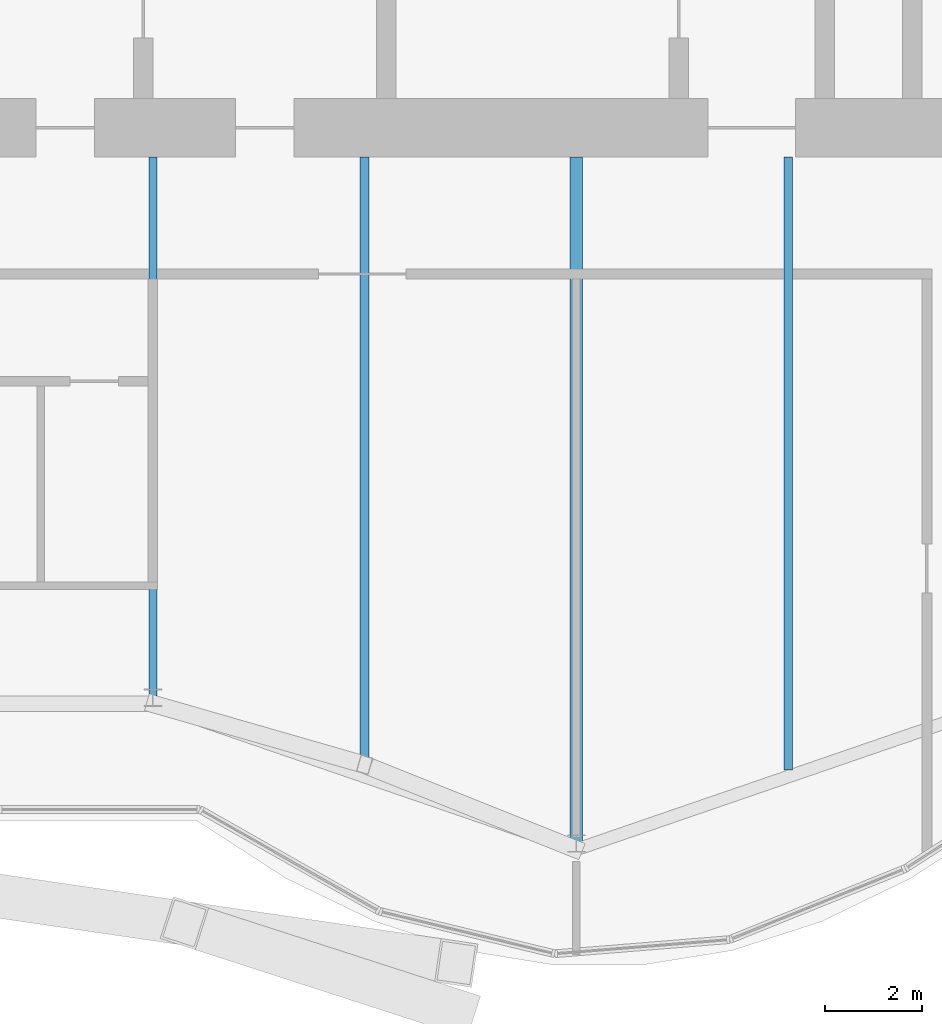
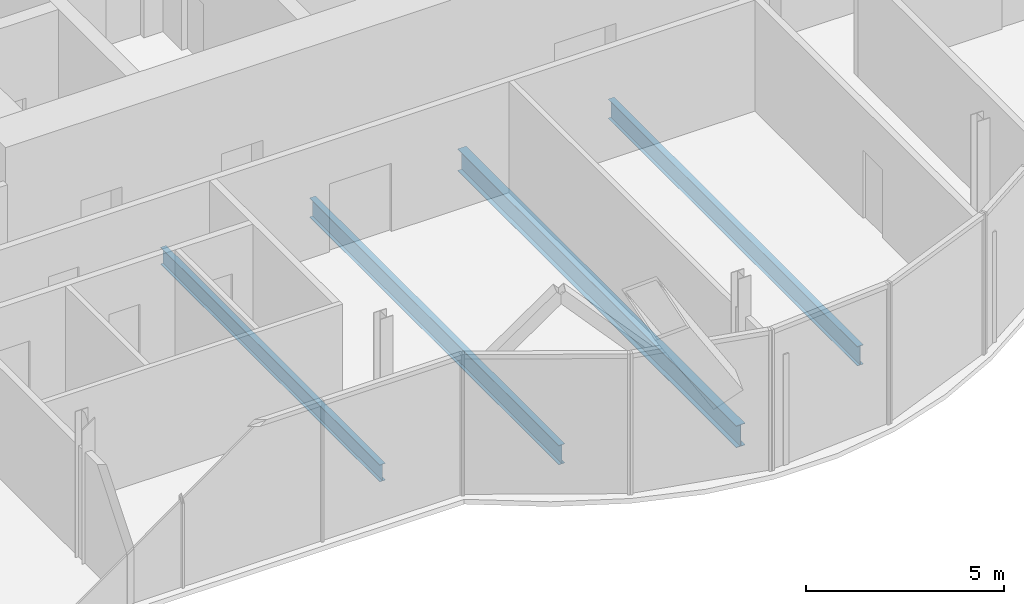
# One storey, part 7 of 20: 4 beams.
"""IFC4 building model written with IfcOpenShell, lengths in metres."""

from ifc_helpers import new_model, si_unit, direction, frame, origin, origin_2d, place, context, subcontext, project, spatial, i_section, extrude, material, material_profile, profile_set, type_object, element, save


model = new_model("IFC4")

# Units and contexts
model_context = context("Model", 3, precision=1e-05, world=origin(), true_north=direction((0.0, 1.0)))
body_context = subcontext(model_context, "Body", "Model", "MODEL_VIEW")
ifc_project = project(units=[si_unit("LENGTHUNIT", "METRE"), si_unit("AREAUNIT", "SQUARE_METRE"), si_unit("VOLUMEUNIT", "CUBIC_METRE"), si_unit("PLANEANGLEUNIT", "RADIAN"), si_unit("MASSUNIT", "GRAM", prefix="KILO")], contexts=[model_context])

# Site, building, storey
site_placement = place(None, origin())
site = spatial("IfcSite", under=ifc_project, at=site_placement, CompositionType="ELEMENT")
building_placement = place(site_placement, origin())
building = spatial("IfcBuilding", under=site, at=building_placement, Name="Bicima Exchange Tower", CompositionType="ELEMENT")
storey_placement = place(building_placement, frame((0.0, 0.0, 306.5)))
storey = spatial("IfcBuildingStorey", under=building, at=storey_placement, Name="L69", CompositionType="ELEMENT", Elevation=306.5)

# Beams
ifc_material = material(Name="Steel ASTM A992 Gr 50", Category="steel")
ifc_material_profile_1 = material_profile(ifc_material, i_section(OverallWidth=0.165771484375, OverallDepth=0.5283203125, WebThickness=0.009765625, FlangeThickness=0.013671875, at=origin_2d()))
ifc_profile_set_1 = profile_set([ifc_material_profile_1], Name="Steel ASTM A992 Gr 50")
beam_type_1 = type_object("IfcBeamType", Name="Floor beam W21x50", PredefinedType="JOIST", material=ifc_profile_set_1)
beam_1_placement = place(storey_placement, frame((-17.39990234375, -13.0, -0.414306640625), z_axis=(0.0, -1.0, 0.0), x_axis=(1.0, 0.0, 0.0)))
element("IfcBeam", 1, at=beam_1_placement, inside=storey, type_object=beam_type_1, Name="Floor beam", PredefinedType="JOIST", context=body_context, shape_type="SweptSolid", body=[
    extrude(i_section(OverallWidth=0.165771484375, OverallDepth=0.5283203125, WebThickness=0.009765625, FlangeThickness=0.013671875, at=origin_2d()), origin(), (0.0, 0.0, 1.0), 11.0654296875),
])
ifc_material_profile_2 = material_profile(ifc_material, i_section(OverallWidth=0.177978515625, OverallDepth=0.599365234375, WebThickness=0.010009765625, FlangeThickness=0.012939453125, at=origin_2d()))
ifc_profile_set_2 = profile_set([ifc_material_profile_2], Name="Steel ASTM A992 Gr 50")
beam_type_2 = type_object("IfcBeamType", Name="Floor beam W24x55", PredefinedType="JOIST", material=ifc_profile_set_2)
for number, where, z_axis, x_axis, name in (
    (2, (-13.050048828125, -13.0, -0.44970703125), (0.0, -1.0, 0.0), (1.0, 0.0, 0.0), "Floor beam"),
    (3, (-4.35009765625, -13.0, -0.44970703125), (0.0, -1.0, 0.0), (1.0, 0.0, 0.0), "Floor beam"),
):
    element("IfcBeam", number, at=place(storey_placement, frame(where, z_axis=z_axis, x_axis=x_axis)), inside=storey, type_object=beam_type_2, Name=name, PredefinedType="JOIST", context=body_context, shape_type="SweptSolid", body=[
        extrude(i_section(OverallWidth=0.177978515625, OverallDepth=0.599365234375, WebThickness=0.010009765625, FlangeThickness=0.012939453125, at=origin_2d()), origin(), (0.0, 0.0, 1.0), 12.587890625),
    ])
ifc_material_profile_3 = material_profile(ifc_material, i_section(OverallWidth=0.25390625, OverallDepth=0.67822265625, WebThickness=0.01171875, FlangeThickness=0.016357421875, at=origin_2d()))
ifc_profile_set_3 = profile_set([ifc_material_profile_3], Name="Steel ASTM A992 Gr 50")
beam_type_3 = type_object("IfcBeamType", Name="Floor beam W27x84", PredefinedType="JOIST", material=ifc_profile_set_3)
beam_2_placement = place(storey_placement, frame((-8.699951171875, -13.0, -0.489013671875), z_axis=(0.0, -1.0, 0.0), x_axis=(1.0, 0.0, 0.0)))
element("IfcBeam", 4, at=beam_2_placement, inside=storey, type_object=beam_type_3, Name="Floor beam", PredefinedType="JOIST", context=body_context, shape_type="SweptSolid", body=[
    extrude(i_section(OverallWidth=0.25390625, OverallDepth=0.67822265625, WebThickness=0.01171875, FlangeThickness=0.016357421875, at=origin_2d()), origin(), (0.0, 0.0, 1.0), 14.08349609375),
])

save(model, "model.ifc")
